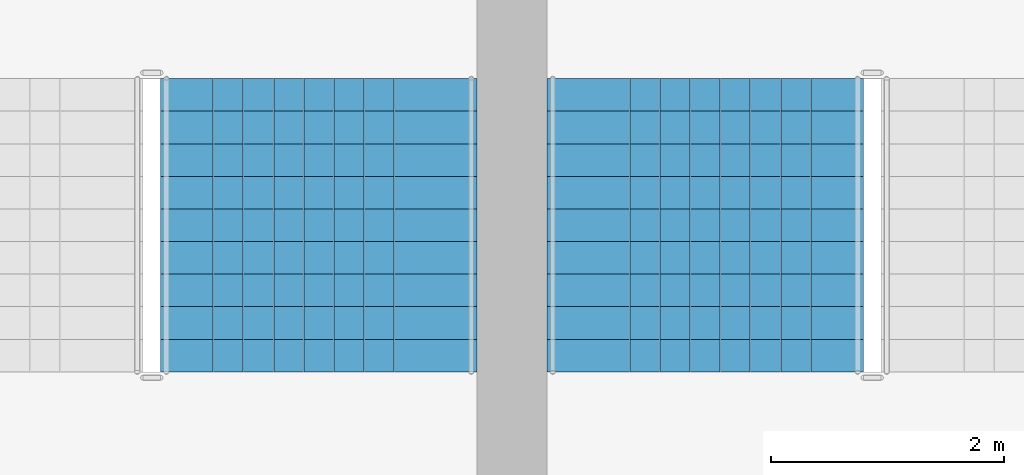
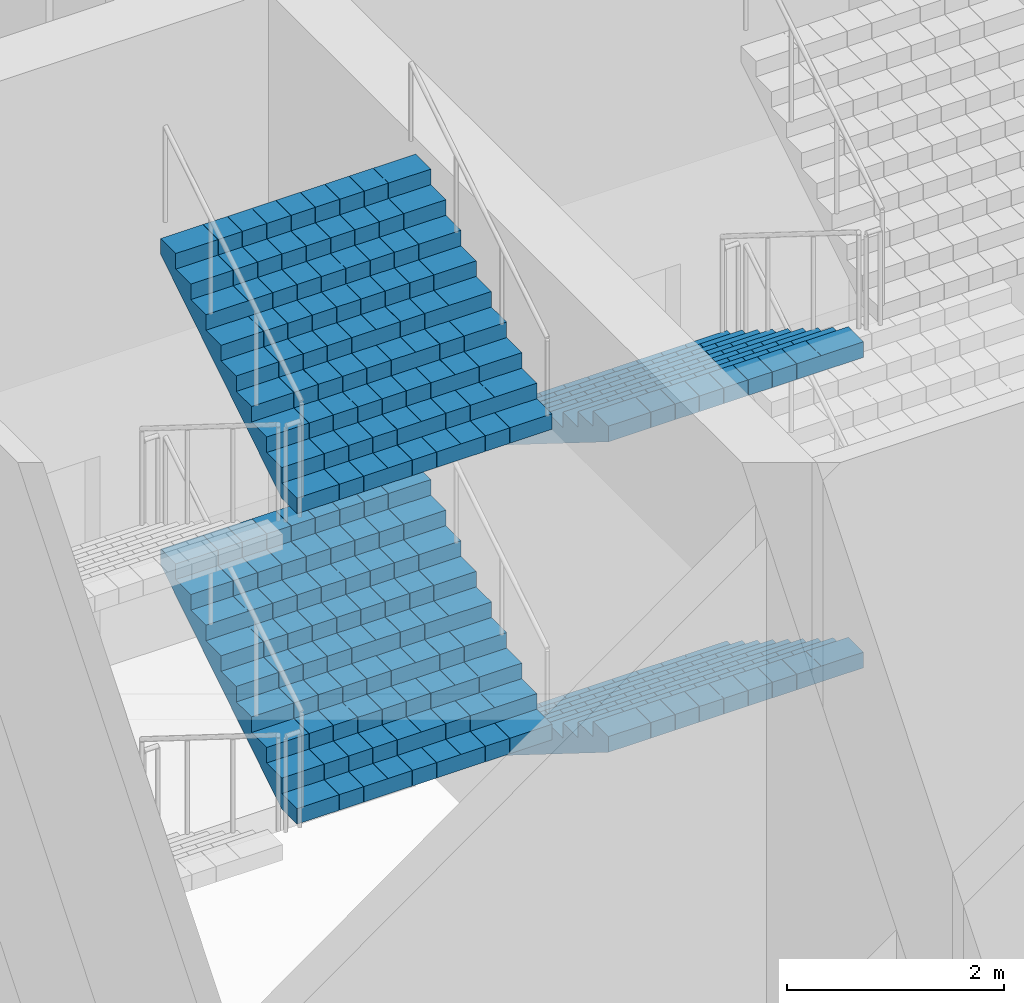
# One storey, part 46 of 62: 4 stair flights, 2 elements without a shape of their own.
"""IFC4 building model written with IfcOpenShell, lengths in metres."""

import ifcopenshell
import ifcopenshell.guid

model = None  # the IFC model being written
_history = None  # IfcOwnerHistory: only IFC2X3 demands one
_inside = {}  # id of a spatial element -> (the spatial element, [elements in it])
_under = {}  # id of a project, library or spatial element -> (it, [spatial elements below it])
_declared = {}  # id of a project -> (the project, [libraries it declares])
_typed = {}  # id of a type object -> (the type object, [elements of that type])
_made_of = {}  # id of a material, layer set ... -> (it, [elements and type objects made of it])


def new_model(schema):
    """Start an empty IFC model of exactly this schema.

    Asked for "IFC4X3", IfcOpenShell would pick the latest addendum, in which some entities
    have other attributes; the version numbers below select the first issue.
    IFC2X3 requires an IfcOwnerHistory on every rooted entity: one is made here for all.
    """
    global model, _history
    if schema == "IFC4X3":
        model = ifcopenshell.file(schema_version=(4, 3, 0, 0))
    else:
        model = ifcopenshell.file(schema=schema)
    _inside.clear()
    _under.clear()
    _declared.clear()
    _typed.clear()
    _made_of.clear()
    _history = None
    if model.schema == "IFC2X3":
        org = make("IfcOrganization", Name="unknown")
        user = make(
            "IfcPersonAndOrganization",
            ThePerson=make("IfcPerson", FamilyName="unknown"),
            TheOrganization=org,
        )
        app = make(
            "IfcApplication",
            ApplicationDeveloper=org,
            Version="unknown",
            ApplicationFullName="unknown",
            ApplicationIdentifier="unknown",
        )
        _history = make(
            "IfcOwnerHistory",
            OwningUser=user,
            OwningApplication=app,
            ChangeAction="ADDED",
            CreationDate=0,
        )
    return model


def make(cls, **values):
    """One entity of the class cls with the attributes given. An attribute that is None is left unset."""
    return model.create_entity(
        cls, **{name: value for name, value in values.items() if value is not None}
    )


def rooted(cls, **values):
    """An entity with a GlobalId (a new one), such as an element, a storey or a relation."""
    return make(cls, GlobalId=ifcopenshell.guid.new(), OwnerHistory=_history, **values)


def si_unit(unit_type, name, prefix=None):
    """IfcSIUnit, for example si_unit("LENGTHUNIT", "METRE", prefix="MILLI")."""
    return make("IfcSIUnit", UnitType=unit_type, Prefix=prefix, Name=name)


def assignment(units):
    """IfcUnitAssignment: the units of a project."""
    return None if units is None else make("IfcUnitAssignment", Units=units)


def point(xyz):
    """IfcCartesianPoint."""
    return None if xyz is None else make("IfcCartesianPoint", Coordinates=xyz)


def direction(xyz):
    """IfcDirection."""
    return None if xyz is None else make("IfcDirection", DirectionRatios=xyz)


def frame(location, z_axis=None, x_axis=None):
    """IfcAxis2Placement3D, a coordinate frame: its origin and axes. An axis left out is left unset."""
    return make(
        "IfcAxis2Placement3D",
        Location=point(location),
        Axis=direction(z_axis),
        RefDirection=direction(x_axis),
    )


def origin():
    """The frame at (0, 0, 0) with its axes left unset."""
    return frame((0.0, 0.0, 0.0))


def place(relative_to, where):
    """IfcLocalPlacement: puts the frame where relative to a parent placement (None: the world)."""
    return make(
        "IfcLocalPlacement", PlacementRelTo=relative_to, RelativePlacement=where
    )


def context(
    kind, dimensions, precision=None, world=None, true_north=None, identifier=None
):
    """IfcGeometricRepresentationContext, for example the 3D "Model" context."""
    return make(
        "IfcGeometricRepresentationContext",
        ContextIdentifier=identifier,
        ContextType=kind,
        CoordinateSpaceDimension=dimensions,
        Precision=precision,
        WorldCoordinateSystem=world,
        TrueNorth=true_north,
    )


def subcontext(parent, identifier, kind, view, scale=None):
    """IfcGeometricRepresentationSubContext, for example "Body" below "Model"."""
    return make(
        "IfcGeometricRepresentationSubContext",
        ContextIdentifier=identifier,
        ContextType=kind,
        ParentContext=parent,
        TargetScale=scale,
        TargetView=view,
    )


def project(units=None, contexts=None):
    """IfcProject with its units and contexts."""
    return rooted(
        "IfcProject",
        Name="project",
        RepresentationContexts=contexts,
        UnitsInContext=assignment(units),
    )


def spatial(cls, under=None, at=None, **own):
    """A site, building, storey or space (cls), placed at a placement, below another one or the project."""
    s = rooted(cls, ObjectPlacement=at, **own)
    if under is not None:
        _under.setdefault(under.id(), (under, []))[1].append(s)
    return s


def polyline(points):
    """IfcPolyline through the points."""
    return make("IfcPolyline", Points=[point(p) for p in points])


def outline(outer, holes=None, kind="AREA"):
    """IfcArbitraryClosedProfileDef: a profile drawn as a closed curve; with holes, ...WithVoids."""
    if holes is None:
        return make("IfcArbitraryClosedProfileDef", ProfileType=kind, OuterCurve=outer)
    return make(
        "IfcArbitraryProfileDefWithVoids",
        ProfileType=kind,
        OuterCurve=outer,
        InnerCurves=holes,
    )


def extrude(swept, where, along, depth):
    """IfcExtrudedAreaSolid: the profile swept, set in the frame where, extruded along a direction by depth."""
    return make(
        "IfcExtrudedAreaSolid",
        SweptArea=swept,
        Position=where,
        ExtrudedDirection=direction(along),
        Depth=depth,
    )


def shape(context_of_items, identifier, shape_type, items):
    """IfcShapeRepresentation: the items that make up one representation, for example the "Body"."""
    return make(
        "IfcShapeRepresentation",
        ContextOfItems=context_of_items,
        RepresentationIdentifier=identifier,
        RepresentationType=shape_type,
        Items=items,
    )


def material(Name=None, Category=None):
    """IfcMaterial."""
    return make("IfcMaterial", Name=Name, Category=Category)


def made_of(thing, what):
    """Note that an element or type object is made of a material, layer set ...; save() writes the relation."""
    if what is not None:
        _made_of.setdefault(what.id(), (what, []))[1].append(thing)
    return thing


def type_object(cls, material=None, **own):
    """A type object (cls), such as IfcWallType, which elements share."""
    return made_of(rooted(cls, **own), material)


def element(
    cls,
    number,
    at=None,
    inside=None,
    cuts=None,
    type_object=None,
    material=None,
    context=None,
    identifier="Body",
    shape_type=None,
    held_by="IfcProductDefinitionShape",
    body=None,
    shapes=None,
    **own,
):
    """One element of the class cls, such as IfcWall. Its Tag is "e" and its number.

    at: its placement. inside: the storey or other place that contains it. cuts: it is an
    opening in that element (IfcRelVoidsElement). A single representation is given by context,
    identifier, shape_type and body (its items); several are given by shapes. held_by: the class
    of the entity that holds the representations. save() writes the other relations.
    """
    e = rooted(cls, Tag="e%d" % number, ObjectPlacement=at, **own)
    if body is not None:
        shapes = [shape(context, identifier, shape_type, body)]
    if shapes is not None:
        e.Representation = make(held_by, Representations=shapes)
    if inside is not None:
        _inside.setdefault(inside.id(), (inside, []))[1].append(e)
    if cuts is not None:
        rooted(
            "IfcRelVoidsElement", RelatingBuildingElement=cuts, RelatedOpeningElement=e
        )
    if type_object is not None:
        _typed.setdefault(type_object.id(), (type_object, []))[1].append(e)
    return made_of(e, material)


def aggregate(whole, parts):
    """IfcRelAggregates: a whole, such as a stair, and the parts it consists of."""
    return rooted("IfcRelAggregates", RelatingObject=whole, RelatedObjects=parts)


def save(model, path):
    """Write the relations noted so far, then the file.

    IfcRelAggregates (storeys below a building ...), IfcRelContainedInSpatialStructure (elements
    in a storey), IfcRelDefinesByType, IfcRelAssociatesMaterial and IfcRelDeclares: one each for
    every whole, place, type object, material and project.
    """
    for whole, parts in _under.values():
        aggregate(whole, parts)
    for where, things in _inside.values():
        rooted(
            "IfcRelContainedInSpatialStructure",
            RelatedElements=things,
            RelatingStructure=where,
        )
    for kind, things in _typed.values():
        rooted("IfcRelDefinesByType", RelatedObjects=things, RelatingType=kind)
    for what, things in _made_of.values():
        rooted("IfcRelAssociatesMaterial", RelatedObjects=things, RelatingMaterial=what)
    for by, libraries in _declared.values():
        rooted("IfcRelDeclares", RelatingContext=by, RelatedDefinitions=libraries)
    model.write(path)


model = new_model("IFC4")

# Units and contexts
model_context = context("Model", 3, precision=1e-05, world=origin(), true_north=direction((0.0, 1.0)))
body_context = subcontext(model_context, "Body", "Model", "MODEL_VIEW")
ifc_project = project(units=[si_unit("LENGTHUNIT", "METRE"), si_unit("AREAUNIT", "SQUARE_METRE"), si_unit("VOLUMEUNIT", "CUBIC_METRE"), si_unit("PLANEANGLEUNIT", "RADIAN"), si_unit("MASSUNIT", "GRAM", prefix="KILO")], contexts=[model_context])

# Site, building, storey
site_placement = place(None, origin())
site = spatial("IfcSite", under=ifc_project, at=site_placement, CompositionType="ELEMENT")
building_placement = place(site_placement, origin())
building = spatial("IfcBuilding", under=site, at=building_placement, Name="Corbelhall Arena Tower", CompositionType="ELEMENT")
storey_placement = place(building_placement, frame((0.0, 0.0, 12.0)))
storey = spatial("IfcBuildingStorey", under=building, at=storey_placement, Name="L01", CompositionType="ELEMENT", Elevation=12.0)

# Stair, stair flights
ifc_material = material(Name="Reinforced concrete C40/50", Category="concrete")
stair_type = type_object("IfcStairType", Name="AR-EXIT-STAIR", PredefinedType="HALF_TURN_STAIR", material=ifc_material)
stair_1_placement = place(storey_placement, origin())
stair_1 = element("IfcStair", 1, at=stair_1_placement, inside=storey, type_object=stair_type, Name="L01 exit stair AS5", PredefinedType="HALF_TURN_STAIR")
stair_flight_type = type_object("IfcStairFlightType", Name="AR-EXIT-FLIGHT", PredefinedType="STRAIGHT", material=ifc_material)
stair_flight_1_placement = place(storey_placement, frame((38.840087890625, -29.840087890625, 1.75), z_axis=(0.0, 0.0, 1.0), x_axis=(0.0, 1.0, 0.0)))
stair_flight_1 = element("IfcStairFlight", 2, at=stair_flight_1_placement, type_object=stair_flight_type, Name="AS5 flight 2", NumberOfRisers=10, NumberOfTreads=9, PredefinedType="STRAIGHT", RiserHeight=0.175, TreadLength=0.28, context=body_context, shape_type="SweptSolid", body=[
    extrude(outline(polyline([(0.0, 0.0), (0.0, 0.175048828125), (0.280029296875, 0.175048828125), (0.280029296875, 0.35009765625), (0.56005859375, 0.35009765625), (0.56005859375, 0.52490234375), (0.840087890625, 0.52490234375), (0.840087890625, 0.699951171875), (1.1201171875, 0.699951171875), (1.1201171875, 0.875), (1.39990234375, 0.875), (1.39990234375, 1.050048828125), (1.679931640625, 1.050048828125), (1.679931640625, 1.22509765625), (1.9599609375, 1.22509765625), (1.9599609375, 1.39990234375), (2.239990234375, 1.39990234375), (2.239990234375, 1.574951171875), (2.52001953125, 1.574951171875), (2.52001953125, 1.75), (2.52001953125, 1.398193359375), (0.28271484375, 0.0), (0.0, 0.0)])), frame((0.0, 1.35986328125, 0.0), z_axis=(0.0, -1.0, 0.0), x_axis=(1.0, 0.0, 0.0)), (0.0, 0.0, 1.0), 0.449951171875),
    extrude(outline(polyline([(0.0, 0.0), (0.0, 0.175048828125), (0.280029296875, 0.175048828125), (0.280029296875, 0.35009765625), (0.56005859375, 0.35009765625), (0.56005859375, 0.52490234375), (0.840087890625, 0.52490234375), (0.840087890625, 0.699951171875), (1.1201171875, 0.699951171875), (1.1201171875, 0.875), (1.39990234375, 0.875), (1.39990234375, 1.050048828125), (1.679931640625, 1.050048828125), (1.679931640625, 1.22509765625), (1.9599609375, 1.22509765625), (1.9599609375, 1.39990234375), (2.239990234375, 1.39990234375), (2.239990234375, 1.574951171875), (2.52001953125, 1.574951171875), (2.52001953125, 1.75), (2.52001953125, 1.398193359375), (0.28271484375, 0.0), (0.0, 0.0)])), frame((0.0, 0.906005859375, 0.0), z_axis=(0.0, -1.0, 0.0), x_axis=(1.0, 0.0, 0.0)), (0.0, 0.0, 1.0), 0.25537109375),
    extrude(outline(polyline([(0.0, 0.0), (0.0, 0.175048828125), (0.280029296875, 0.175048828125), (0.280029296875, 0.35009765625), (0.56005859375, 0.35009765625), (0.56005859375, 0.52490234375), (0.840087890625, 0.52490234375), (0.840087890625, 0.699951171875), (1.1201171875, 0.699951171875), (1.1201171875, 0.875), (1.39990234375, 0.875), (1.39990234375, 1.050048828125), (1.679931640625, 1.050048828125), (1.679931640625, 1.22509765625), (1.9599609375, 1.22509765625), (1.9599609375, 1.39990234375), (2.239990234375, 1.39990234375), (2.239990234375, 1.574951171875), (2.52001953125, 1.574951171875), (2.52001953125, 1.75), (2.52001953125, 1.398193359375), (0.28271484375, 0.0), (0.0, 0.0)])), frame((0.0, 0.646484375, 0.0), z_axis=(0.0, -1.0, 0.0), x_axis=(1.0, 0.0, 0.0)), (0.0, 0.0, 1.0), 0.25537109375),
    extrude(outline(polyline([(0.0, 0.0), (0.0, 0.175048828125), (0.280029296875, 0.175048828125), (0.280029296875, 0.35009765625), (0.56005859375, 0.35009765625), (0.56005859375, 0.52490234375), (0.840087890625, 0.52490234375), (0.840087890625, 0.699951171875), (1.1201171875, 0.699951171875), (1.1201171875, 0.875), (1.39990234375, 0.875), (1.39990234375, 1.050048828125), (1.679931640625, 1.050048828125), (1.679931640625, 1.22509765625), (1.9599609375, 1.22509765625), (1.9599609375, 1.39990234375), (2.239990234375, 1.39990234375), (2.239990234375, 1.574951171875), (2.52001953125, 1.574951171875), (2.52001953125, 1.75), (2.52001953125, 1.398193359375), (0.28271484375, 0.0), (0.0, 0.0)])), frame((0.0, 0.38720703125, 0.0), z_axis=(0.0, -1.0, 0.0), x_axis=(1.0, 0.0, 0.0)), (0.0, 0.0, 1.0), 0.25537109375),
    extrude(outline(polyline([(0.0, 0.0), (0.0, 0.175048828125), (0.280029296875, 0.175048828125), (0.280029296875, 0.35009765625), (0.56005859375, 0.35009765625), (0.56005859375, 0.52490234375), (0.840087890625, 0.52490234375), (0.840087890625, 0.699951171875), (1.1201171875, 0.699951171875), (1.1201171875, 0.875), (1.39990234375, 0.875), (1.39990234375, 1.050048828125), (1.679931640625, 1.050048828125), (1.679931640625, 1.22509765625), (1.9599609375, 1.22509765625), (1.9599609375, 1.39990234375), (2.239990234375, 1.39990234375), (2.239990234375, 1.574951171875), (2.52001953125, 1.574951171875), (2.52001953125, 1.75), (2.52001953125, 1.398193359375), (0.28271484375, 0.0), (0.0, 0.0)])), frame((0.0, 0.127685546875, 0.0), z_axis=(0.0, -1.0, 0.0), x_axis=(1.0, 0.0, 0.0)), (0.0, 0.0, 1.0), 0.25537109375),
    extrude(outline(polyline([(0.0, 0.0), (0.0, 0.175048828125), (0.280029296875, 0.175048828125), (0.280029296875, 0.35009765625), (0.56005859375, 0.35009765625), (0.56005859375, 0.52490234375), (0.840087890625, 0.52490234375), (0.840087890625, 0.699951171875), (1.1201171875, 0.699951171875), (1.1201171875, 0.875), (1.39990234375, 0.875), (1.39990234375, 1.050048828125), (1.679931640625, 1.050048828125), (1.679931640625, 1.22509765625), (1.9599609375, 1.22509765625), (1.9599609375, 1.39990234375), (2.239990234375, 1.39990234375), (2.239990234375, 1.574951171875), (2.52001953125, 1.574951171875), (2.52001953125, 1.75), (2.52001953125, 1.398193359375), (0.28271484375, 0.0), (0.0, 0.0)])), frame((0.0, -0.131591796875, 0.0), z_axis=(0.0, -1.0, 0.0), x_axis=(1.0, 0.0, 0.0)), (0.0, 0.0, 1.0), 0.25537109375),
    extrude(outline(polyline([(0.0, 0.0), (0.0, 0.175048828125), (0.280029296875, 0.175048828125), (0.280029296875, 0.35009765625), (0.56005859375, 0.35009765625), (0.56005859375, 0.52490234375), (0.840087890625, 0.52490234375), (0.840087890625, 0.699951171875), (1.1201171875, 0.699951171875), (1.1201171875, 0.875), (1.39990234375, 0.875), (1.39990234375, 1.050048828125), (1.679931640625, 1.050048828125), (1.679931640625, 1.22509765625), (1.9599609375, 1.22509765625), (1.9599609375, 1.39990234375), (2.239990234375, 1.39990234375), (2.239990234375, 1.574951171875), (2.52001953125, 1.574951171875), (2.52001953125, 1.75), (2.52001953125, 1.398193359375), (0.28271484375, 0.0), (0.0, 0.0)])), frame((0.0, -0.39111328125, 0.0), z_axis=(0.0, -1.0, 0.0), x_axis=(1.0, 0.0, 0.0)), (0.0, 0.0, 1.0), 0.25537109375),
    extrude(outline(polyline([(0.0, 0.0), (0.0, 0.175048828125), (0.280029296875, 0.175048828125), (0.280029296875, 0.35009765625), (0.56005859375, 0.35009765625), (0.56005859375, 0.52490234375), (0.840087890625, 0.52490234375), (0.840087890625, 0.699951171875), (1.1201171875, 0.699951171875), (1.1201171875, 0.875), (1.39990234375, 0.875), (1.39990234375, 1.050048828125), (1.679931640625, 1.050048828125), (1.679931640625, 1.22509765625), (1.9599609375, 1.22509765625), (1.9599609375, 1.39990234375), (2.239990234375, 1.39990234375), (2.239990234375, 1.574951171875), (2.52001953125, 1.574951171875), (2.52001953125, 1.75), (2.52001953125, 1.398193359375), (0.28271484375, 0.0), (0.0, 0.0)])), frame((0.0, -0.650634765625, 0.0), z_axis=(0.0, -1.0, 0.0), x_axis=(1.0, 0.0, 0.0)), (0.0, 0.0, 1.0), 0.25537109375),
    extrude(outline(polyline([(0.0, 0.0), (0.0, 0.175048828125), (0.280029296875, 0.175048828125), (0.280029296875, 0.35009765625), (0.56005859375, 0.35009765625), (0.56005859375, 0.52490234375), (0.840087890625, 0.52490234375), (0.840087890625, 0.699951171875), (1.1201171875, 0.699951171875), (1.1201171875, 0.875), (1.39990234375, 0.875), (1.39990234375, 1.050048828125), (1.679931640625, 1.050048828125), (1.679931640625, 1.22509765625), (1.9599609375, 1.22509765625), (1.9599609375, 1.39990234375), (2.239990234375, 1.39990234375), (2.239990234375, 1.574951171875), (2.52001953125, 1.574951171875), (2.52001953125, 1.75), (2.52001953125, 1.398193359375), (0.28271484375, 0.0), (0.0, 0.0)])), frame((0.0, -0.909912109375, 0.0), z_axis=(0.0, -1.0, 0.0), x_axis=(1.0, 0.0, 0.0)), (0.0, 0.0, 1.0), 0.449951171875),
])
stair_flight_2_placement = place(storey_placement, frame((38.840087890625, -29.840087890625, 5.25), z_axis=(0.0, 0.0, 1.0), x_axis=(0.0, 1.0, 0.0)))
stair_flight_2 = element("IfcStairFlight", 3, at=stair_flight_2_placement, type_object=stair_flight_type, Name="AS5 flight 4", NumberOfRisers=10, NumberOfTreads=9, PredefinedType="STRAIGHT", RiserHeight=0.175, TreadLength=0.28, context=body_context, shape_type="SweptSolid", body=[
    extrude(outline(polyline([(0.0, 0.0), (0.0, 0.175048828125), (0.280029296875, 0.175048828125), (0.280029296875, 0.35009765625), (0.56005859375, 0.35009765625), (0.56005859375, 0.52490234375), (0.840087890625, 0.52490234375), (0.840087890625, 0.699951171875), (1.1201171875, 0.699951171875), (1.1201171875, 0.875), (1.39990234375, 0.875), (1.39990234375, 1.050048828125), (1.679931640625, 1.050048828125), (1.679931640625, 1.22509765625), (1.9599609375, 1.22509765625), (1.9599609375, 1.39990234375), (2.239990234375, 1.39990234375), (2.239990234375, 1.574951171875), (2.52001953125, 1.574951171875), (2.52001953125, 1.75), (2.52001953125, 1.398193359375), (0.28271484375, 0.0), (0.0, 0.0)])), frame((0.0, 1.35986328125, 0.0), z_axis=(0.0, -1.0, 0.0), x_axis=(1.0, 0.0, 0.0)), (0.0, 0.0, 1.0), 0.449951171875),
    extrude(outline(polyline([(0.0, 0.0), (0.0, 0.175048828125), (0.280029296875, 0.175048828125), (0.280029296875, 0.35009765625), (0.56005859375, 0.35009765625), (0.56005859375, 0.52490234375), (0.840087890625, 0.52490234375), (0.840087890625, 0.699951171875), (1.1201171875, 0.699951171875), (1.1201171875, 0.875), (1.39990234375, 0.875), (1.39990234375, 1.050048828125), (1.679931640625, 1.050048828125), (1.679931640625, 1.22509765625), (1.9599609375, 1.22509765625), (1.9599609375, 1.39990234375), (2.239990234375, 1.39990234375), (2.239990234375, 1.574951171875), (2.52001953125, 1.574951171875), (2.52001953125, 1.75), (2.52001953125, 1.398193359375), (0.28271484375, 0.0), (0.0, 0.0)])), frame((0.0, 0.906005859375, 0.0), z_axis=(0.0, -1.0, 0.0), x_axis=(1.0, 0.0, 0.0)), (0.0, 0.0, 1.0), 0.25537109375),
    extrude(outline(polyline([(0.0, 0.0), (0.0, 0.175048828125), (0.280029296875, 0.175048828125), (0.280029296875, 0.35009765625), (0.56005859375, 0.35009765625), (0.56005859375, 0.52490234375), (0.840087890625, 0.52490234375), (0.840087890625, 0.699951171875), (1.1201171875, 0.699951171875), (1.1201171875, 0.875), (1.39990234375, 0.875), (1.39990234375, 1.050048828125), (1.679931640625, 1.050048828125), (1.679931640625, 1.22509765625), (1.9599609375, 1.22509765625), (1.9599609375, 1.39990234375), (2.239990234375, 1.39990234375), (2.239990234375, 1.574951171875), (2.52001953125, 1.574951171875), (2.52001953125, 1.75), (2.52001953125, 1.398193359375), (0.28271484375, 0.0), (0.0, 0.0)])), frame((0.0, 0.646484375, 0.0), z_axis=(0.0, -1.0, 0.0), x_axis=(1.0, 0.0, 0.0)), (0.0, 0.0, 1.0), 0.25537109375),
    extrude(outline(polyline([(0.0, 0.0), (0.0, 0.175048828125), (0.280029296875, 0.175048828125), (0.280029296875, 0.35009765625), (0.56005859375, 0.35009765625), (0.56005859375, 0.52490234375), (0.840087890625, 0.52490234375), (0.840087890625, 0.699951171875), (1.1201171875, 0.699951171875), (1.1201171875, 0.875), (1.39990234375, 0.875), (1.39990234375, 1.050048828125), (1.679931640625, 1.050048828125), (1.679931640625, 1.22509765625), (1.9599609375, 1.22509765625), (1.9599609375, 1.39990234375), (2.239990234375, 1.39990234375), (2.239990234375, 1.574951171875), (2.52001953125, 1.574951171875), (2.52001953125, 1.75), (2.52001953125, 1.398193359375), (0.28271484375, 0.0), (0.0, 0.0)])), frame((0.0, 0.38720703125, 0.0), z_axis=(0.0, -1.0, 0.0), x_axis=(1.0, 0.0, 0.0)), (0.0, 0.0, 1.0), 0.25537109375),
    extrude(outline(polyline([(0.0, 0.0), (0.0, 0.175048828125), (0.280029296875, 0.175048828125), (0.280029296875, 0.35009765625), (0.56005859375, 0.35009765625), (0.56005859375, 0.52490234375), (0.840087890625, 0.52490234375), (0.840087890625, 0.699951171875), (1.1201171875, 0.699951171875), (1.1201171875, 0.875), (1.39990234375, 0.875), (1.39990234375, 1.050048828125), (1.679931640625, 1.050048828125), (1.679931640625, 1.22509765625), (1.9599609375, 1.22509765625), (1.9599609375, 1.39990234375), (2.239990234375, 1.39990234375), (2.239990234375, 1.574951171875), (2.52001953125, 1.574951171875), (2.52001953125, 1.75), (2.52001953125, 1.398193359375), (0.28271484375, 0.0), (0.0, 0.0)])), frame((0.0, 0.127685546875, 0.0), z_axis=(0.0, -1.0, 0.0), x_axis=(1.0, 0.0, 0.0)), (0.0, 0.0, 1.0), 0.25537109375),
    extrude(outline(polyline([(0.0, 0.0), (0.0, 0.175048828125), (0.280029296875, 0.175048828125), (0.280029296875, 0.35009765625), (0.56005859375, 0.35009765625), (0.56005859375, 0.52490234375), (0.840087890625, 0.52490234375), (0.840087890625, 0.699951171875), (1.1201171875, 0.699951171875), (1.1201171875, 0.875), (1.39990234375, 0.875), (1.39990234375, 1.050048828125), (1.679931640625, 1.050048828125), (1.679931640625, 1.22509765625), (1.9599609375, 1.22509765625), (1.9599609375, 1.39990234375), (2.239990234375, 1.39990234375), (2.239990234375, 1.574951171875), (2.52001953125, 1.574951171875), (2.52001953125, 1.75), (2.52001953125, 1.398193359375), (0.28271484375, 0.0), (0.0, 0.0)])), frame((0.0, -0.131591796875, 0.0), z_axis=(0.0, -1.0, 0.0), x_axis=(1.0, 0.0, 0.0)), (0.0, 0.0, 1.0), 0.25537109375),
    extrude(outline(polyline([(0.0, 0.0), (0.0, 0.175048828125), (0.280029296875, 0.175048828125), (0.280029296875, 0.35009765625), (0.56005859375, 0.35009765625), (0.56005859375, 0.52490234375), (0.840087890625, 0.52490234375), (0.840087890625, 0.699951171875), (1.1201171875, 0.699951171875), (1.1201171875, 0.875), (1.39990234375, 0.875), (1.39990234375, 1.050048828125), (1.679931640625, 1.050048828125), (1.679931640625, 1.22509765625), (1.9599609375, 1.22509765625), (1.9599609375, 1.39990234375), (2.239990234375, 1.39990234375), (2.239990234375, 1.574951171875), (2.52001953125, 1.574951171875), (2.52001953125, 1.75), (2.52001953125, 1.398193359375), (0.28271484375, 0.0), (0.0, 0.0)])), frame((0.0, -0.39111328125, 0.0), z_axis=(0.0, -1.0, 0.0), x_axis=(1.0, 0.0, 0.0)), (0.0, 0.0, 1.0), 0.25537109375),
    extrude(outline(polyline([(0.0, 0.0), (0.0, 0.175048828125), (0.280029296875, 0.175048828125), (0.280029296875, 0.35009765625), (0.56005859375, 0.35009765625), (0.56005859375, 0.52490234375), (0.840087890625, 0.52490234375), (0.840087890625, 0.699951171875), (1.1201171875, 0.699951171875), (1.1201171875, 0.875), (1.39990234375, 0.875), (1.39990234375, 1.050048828125), (1.679931640625, 1.050048828125), (1.679931640625, 1.22509765625), (1.9599609375, 1.22509765625), (1.9599609375, 1.39990234375), (2.239990234375, 1.39990234375), (2.239990234375, 1.574951171875), (2.52001953125, 1.574951171875), (2.52001953125, 1.75), (2.52001953125, 1.398193359375), (0.28271484375, 0.0), (0.0, 0.0)])), frame((0.0, -0.650634765625, 0.0), z_axis=(0.0, -1.0, 0.0), x_axis=(1.0, 0.0, 0.0)), (0.0, 0.0, 1.0), 0.25537109375),
    extrude(outline(polyline([(0.0, 0.0), (0.0, 0.175048828125), (0.280029296875, 0.175048828125), (0.280029296875, 0.35009765625), (0.56005859375, 0.35009765625), (0.56005859375, 0.52490234375), (0.840087890625, 0.52490234375), (0.840087890625, 0.699951171875), (1.1201171875, 0.699951171875), (1.1201171875, 0.875), (1.39990234375, 0.875), (1.39990234375, 1.050048828125), (1.679931640625, 1.050048828125), (1.679931640625, 1.22509765625), (1.9599609375, 1.22509765625), (1.9599609375, 1.39990234375), (2.239990234375, 1.39990234375), (2.239990234375, 1.574951171875), (2.52001953125, 1.574951171875), (2.52001953125, 1.75), (2.52001953125, 1.398193359375), (0.28271484375, 0.0), (0.0, 0.0)])), frame((0.0, -0.909912109375, 0.0), z_axis=(0.0, -1.0, 0.0), x_axis=(1.0, 0.0, 0.0)), (0.0, 0.0, 1.0), 0.449951171875),
])
aggregate(stair_1, [stair_flight_1, stair_flight_2])

stair_2_placement = place(storey_placement, origin())
stair_2 = element("IfcStair", 4, at=stair_2_placement, inside=storey, type_object=stair_type, Name="L01 exit stair AS6", PredefinedType="HALF_TURN_STAIR")
stair_flight_3_placement = place(storey_placement, frame((42.159912109375, -27.320068359375, 0.0), z_axis=(0.0, 0.0, 1.0), x_axis=(0.0, -1.0, 0.0)))
stair_flight_3 = element("IfcStairFlight", 5, at=stair_flight_3_placement, type_object=stair_flight_type, Name="AS6 flight 1", NumberOfRisers=10, NumberOfTreads=9, PredefinedType="STRAIGHT", RiserHeight=0.175, TreadLength=0.28, context=body_context, shape_type="SweptSolid", body=[
    extrude(outline(polyline([(0.0, 0.0), (0.0, 0.175048828125), (0.280029296875, 0.175048828125), (0.280029296875, 0.35009765625), (0.56005859375, 0.35009765625), (0.56005859375, 0.52490234375), (0.840087890625, 0.52490234375), (0.840087890625, 0.699951171875), (1.1201171875, 0.699951171875), (1.1201171875, 0.875), (1.39990234375, 0.875), (1.39990234375, 1.050048828125), (1.679931640625, 1.050048828125), (1.679931640625, 1.22509765625), (1.9599609375, 1.22509765625), (1.9599609375, 1.39990234375), (2.239990234375, 1.39990234375), (2.239990234375, 1.574951171875), (2.52001953125, 1.574951171875), (2.52001953125, 1.75), (2.52001953125, 1.398193359375), (0.28271484375, 0.0), (0.0, 0.0)])), frame((0.0, 1.35986328125, 0.0), z_axis=(0.0, -1.0, 0.0), x_axis=(1.0, 0.0, 0.0)), (0.0, 0.0, 1.0), 0.449951171875),
    extrude(outline(polyline([(0.0, 0.0), (0.0, 0.175048828125), (0.280029296875, 0.175048828125), (0.280029296875, 0.35009765625), (0.56005859375, 0.35009765625), (0.56005859375, 0.52490234375), (0.840087890625, 0.52490234375), (0.840087890625, 0.699951171875), (1.1201171875, 0.699951171875), (1.1201171875, 0.875), (1.39990234375, 0.875), (1.39990234375, 1.050048828125), (1.679931640625, 1.050048828125), (1.679931640625, 1.22509765625), (1.9599609375, 1.22509765625), (1.9599609375, 1.39990234375), (2.239990234375, 1.39990234375), (2.239990234375, 1.574951171875), (2.52001953125, 1.574951171875), (2.52001953125, 1.75), (2.52001953125, 1.398193359375), (0.28271484375, 0.0), (0.0, 0.0)])), frame((0.0, 0.906005859375, 0.0), z_axis=(0.0, -1.0, 0.0), x_axis=(1.0, 0.0, 0.0)), (0.0, 0.0, 1.0), 0.25537109375),
    extrude(outline(polyline([(0.0, 0.0), (0.0, 0.175048828125), (0.280029296875, 0.175048828125), (0.280029296875, 0.35009765625), (0.56005859375, 0.35009765625), (0.56005859375, 0.52490234375), (0.840087890625, 0.52490234375), (0.840087890625, 0.699951171875), (1.1201171875, 0.699951171875), (1.1201171875, 0.875), (1.39990234375, 0.875), (1.39990234375, 1.050048828125), (1.679931640625, 1.050048828125), (1.679931640625, 1.22509765625), (1.9599609375, 1.22509765625), (1.9599609375, 1.39990234375), (2.239990234375, 1.39990234375), (2.239990234375, 1.574951171875), (2.52001953125, 1.574951171875), (2.52001953125, 1.75), (2.52001953125, 1.398193359375), (0.28271484375, 0.0), (0.0, 0.0)])), frame((0.0, 0.646484375, 0.0), z_axis=(0.0, -1.0, 0.0), x_axis=(1.0, 0.0, 0.0)), (0.0, 0.0, 1.0), 0.25537109375),
    extrude(outline(polyline([(0.0, 0.0), (0.0, 0.175048828125), (0.280029296875, 0.175048828125), (0.280029296875, 0.35009765625), (0.56005859375, 0.35009765625), (0.56005859375, 0.52490234375), (0.840087890625, 0.52490234375), (0.840087890625, 0.699951171875), (1.1201171875, 0.699951171875), (1.1201171875, 0.875), (1.39990234375, 0.875), (1.39990234375, 1.050048828125), (1.679931640625, 1.050048828125), (1.679931640625, 1.22509765625), (1.9599609375, 1.22509765625), (1.9599609375, 1.39990234375), (2.239990234375, 1.39990234375), (2.239990234375, 1.574951171875), (2.52001953125, 1.574951171875), (2.52001953125, 1.75), (2.52001953125, 1.398193359375), (0.28271484375, 0.0), (0.0, 0.0)])), frame((0.0, 0.38720703125, 0.0), z_axis=(0.0, -1.0, 0.0), x_axis=(1.0, 0.0, 0.0)), (0.0, 0.0, 1.0), 0.25537109375),
    extrude(outline(polyline([(0.0, 0.0), (0.0, 0.175048828125), (0.280029296875, 0.175048828125), (0.280029296875, 0.35009765625), (0.56005859375, 0.35009765625), (0.56005859375, 0.52490234375), (0.840087890625, 0.52490234375), (0.840087890625, 0.699951171875), (1.1201171875, 0.699951171875), (1.1201171875, 0.875), (1.39990234375, 0.875), (1.39990234375, 1.050048828125), (1.679931640625, 1.050048828125), (1.679931640625, 1.22509765625), (1.9599609375, 1.22509765625), (1.9599609375, 1.39990234375), (2.239990234375, 1.39990234375), (2.239990234375, 1.574951171875), (2.52001953125, 1.574951171875), (2.52001953125, 1.75), (2.52001953125, 1.398193359375), (0.28271484375, 0.0), (0.0, 0.0)])), frame((0.0, 0.127685546875, 0.0), z_axis=(0.0, -1.0, 0.0), x_axis=(1.0, 0.0, 0.0)), (0.0, 0.0, 1.0), 0.25537109375),
    extrude(outline(polyline([(0.0, 0.0), (0.0, 0.175048828125), (0.280029296875, 0.175048828125), (0.280029296875, 0.35009765625), (0.56005859375, 0.35009765625), (0.56005859375, 0.52490234375), (0.840087890625, 0.52490234375), (0.840087890625, 0.699951171875), (1.1201171875, 0.699951171875), (1.1201171875, 0.875), (1.39990234375, 0.875), (1.39990234375, 1.050048828125), (1.679931640625, 1.050048828125), (1.679931640625, 1.22509765625), (1.9599609375, 1.22509765625), (1.9599609375, 1.39990234375), (2.239990234375, 1.39990234375), (2.239990234375, 1.574951171875), (2.52001953125, 1.574951171875), (2.52001953125, 1.75), (2.52001953125, 1.398193359375), (0.28271484375, 0.0), (0.0, 0.0)])), frame((0.0, -0.131591796875, 0.0), z_axis=(0.0, -1.0, 0.0), x_axis=(1.0, 0.0, 0.0)), (0.0, 0.0, 1.0), 0.25537109375),
    extrude(outline(polyline([(0.0, 0.0), (0.0, 0.175048828125), (0.280029296875, 0.175048828125), (0.280029296875, 0.35009765625), (0.56005859375, 0.35009765625), (0.56005859375, 0.52490234375), (0.840087890625, 0.52490234375), (0.840087890625, 0.699951171875), (1.1201171875, 0.699951171875), (1.1201171875, 0.875), (1.39990234375, 0.875), (1.39990234375, 1.050048828125), (1.679931640625, 1.050048828125), (1.679931640625, 1.22509765625), (1.9599609375, 1.22509765625), (1.9599609375, 1.39990234375), (2.239990234375, 1.39990234375), (2.239990234375, 1.574951171875), (2.52001953125, 1.574951171875), (2.52001953125, 1.75), (2.52001953125, 1.398193359375), (0.28271484375, 0.0), (0.0, 0.0)])), frame((0.0, -0.39111328125, 0.0), z_axis=(0.0, -1.0, 0.0), x_axis=(1.0, 0.0, 0.0)), (0.0, 0.0, 1.0), 0.25537109375),
    extrude(outline(polyline([(0.0, 0.0), (0.0, 0.175048828125), (0.280029296875, 0.175048828125), (0.280029296875, 0.35009765625), (0.56005859375, 0.35009765625), (0.56005859375, 0.52490234375), (0.840087890625, 0.52490234375), (0.840087890625, 0.699951171875), (1.1201171875, 0.699951171875), (1.1201171875, 0.875), (1.39990234375, 0.875), (1.39990234375, 1.050048828125), (1.679931640625, 1.050048828125), (1.679931640625, 1.22509765625), (1.9599609375, 1.22509765625), (1.9599609375, 1.39990234375), (2.239990234375, 1.39990234375), (2.239990234375, 1.574951171875), (2.52001953125, 1.574951171875), (2.52001953125, 1.75), (2.52001953125, 1.398193359375), (0.28271484375, 0.0), (0.0, 0.0)])), frame((0.0, -0.650634765625, 0.0), z_axis=(0.0, -1.0, 0.0), x_axis=(1.0, 0.0, 0.0)), (0.0, 0.0, 1.0), 0.25537109375),
    extrude(outline(polyline([(0.0, 0.0), (0.0, 0.175048828125), (0.280029296875, 0.175048828125), (0.280029296875, 0.35009765625), (0.56005859375, 0.35009765625), (0.56005859375, 0.52490234375), (0.840087890625, 0.52490234375), (0.840087890625, 0.699951171875), (1.1201171875, 0.699951171875), (1.1201171875, 0.875), (1.39990234375, 0.875), (1.39990234375, 1.050048828125), (1.679931640625, 1.050048828125), (1.679931640625, 1.22509765625), (1.9599609375, 1.22509765625), (1.9599609375, 1.39990234375), (2.239990234375, 1.39990234375), (2.239990234375, 1.574951171875), (2.52001953125, 1.574951171875), (2.52001953125, 1.75), (2.52001953125, 1.398193359375), (0.28271484375, 0.0), (0.0, 0.0)])), frame((0.0, -0.909912109375, 0.0), z_axis=(0.0, -1.0, 0.0), x_axis=(1.0, 0.0, 0.0)), (0.0, 0.0, 1.0), 0.449951171875),
])
stair_flight_4_placement = place(storey_placement, frame((42.159912109375, -27.320068359375, 3.5), z_axis=(0.0, 0.0, 1.0), x_axis=(0.0, -1.0, 0.0)))
stair_flight_4 = element("IfcStairFlight", 6, at=stair_flight_4_placement, type_object=stair_flight_type, Name="AS6 flight 3", NumberOfRisers=10, NumberOfTreads=9, PredefinedType="STRAIGHT", RiserHeight=0.175, TreadLength=0.28, context=body_context, shape_type="SweptSolid", body=[
    extrude(outline(polyline([(0.0, 0.0), (0.0, 0.175048828125), (0.280029296875, 0.175048828125), (0.280029296875, 0.35009765625), (0.56005859375, 0.35009765625), (0.56005859375, 0.52490234375), (0.840087890625, 0.52490234375), (0.840087890625, 0.699951171875), (1.1201171875, 0.699951171875), (1.1201171875, 0.875), (1.39990234375, 0.875), (1.39990234375, 1.050048828125), (1.679931640625, 1.050048828125), (1.679931640625, 1.22509765625), (1.9599609375, 1.22509765625), (1.9599609375, 1.39990234375), (2.239990234375, 1.39990234375), (2.239990234375, 1.574951171875), (2.52001953125, 1.574951171875), (2.52001953125, 1.75), (2.52001953125, 1.398193359375), (0.28271484375, 0.0), (0.0, 0.0)])), frame((0.0, 1.35986328125, 0.0), z_axis=(0.0, -1.0, 0.0), x_axis=(1.0, 0.0, 0.0)), (0.0, 0.0, 1.0), 0.449951171875),
    extrude(outline(polyline([(0.0, 0.0), (0.0, 0.175048828125), (0.280029296875, 0.175048828125), (0.280029296875, 0.35009765625), (0.56005859375, 0.35009765625), (0.56005859375, 0.52490234375), (0.840087890625, 0.52490234375), (0.840087890625, 0.699951171875), (1.1201171875, 0.699951171875), (1.1201171875, 0.875), (1.39990234375, 0.875), (1.39990234375, 1.050048828125), (1.679931640625, 1.050048828125), (1.679931640625, 1.22509765625), (1.9599609375, 1.22509765625), (1.9599609375, 1.39990234375), (2.239990234375, 1.39990234375), (2.239990234375, 1.574951171875), (2.52001953125, 1.574951171875), (2.52001953125, 1.75), (2.52001953125, 1.398193359375), (0.28271484375, 0.0), (0.0, 0.0)])), frame((0.0, 0.906005859375, 0.0), z_axis=(0.0, -1.0, 0.0), x_axis=(1.0, 0.0, 0.0)), (0.0, 0.0, 1.0), 0.25537109375),
    extrude(outline(polyline([(0.0, 0.0), (0.0, 0.175048828125), (0.280029296875, 0.175048828125), (0.280029296875, 0.35009765625), (0.56005859375, 0.35009765625), (0.56005859375, 0.52490234375), (0.840087890625, 0.52490234375), (0.840087890625, 0.699951171875), (1.1201171875, 0.699951171875), (1.1201171875, 0.875), (1.39990234375, 0.875), (1.39990234375, 1.050048828125), (1.679931640625, 1.050048828125), (1.679931640625, 1.22509765625), (1.9599609375, 1.22509765625), (1.9599609375, 1.39990234375), (2.239990234375, 1.39990234375), (2.239990234375, 1.574951171875), (2.52001953125, 1.574951171875), (2.52001953125, 1.75), (2.52001953125, 1.398193359375), (0.28271484375, 0.0), (0.0, 0.0)])), frame((0.0, 0.646484375, 0.0), z_axis=(0.0, -1.0, 0.0), x_axis=(1.0, 0.0, 0.0)), (0.0, 0.0, 1.0), 0.25537109375),
    extrude(outline(polyline([(0.0, 0.0), (0.0, 0.175048828125), (0.280029296875, 0.175048828125), (0.280029296875, 0.35009765625), (0.56005859375, 0.35009765625), (0.56005859375, 0.52490234375), (0.840087890625, 0.52490234375), (0.840087890625, 0.699951171875), (1.1201171875, 0.699951171875), (1.1201171875, 0.875), (1.39990234375, 0.875), (1.39990234375, 1.050048828125), (1.679931640625, 1.050048828125), (1.679931640625, 1.22509765625), (1.9599609375, 1.22509765625), (1.9599609375, 1.39990234375), (2.239990234375, 1.39990234375), (2.239990234375, 1.574951171875), (2.52001953125, 1.574951171875), (2.52001953125, 1.75), (2.52001953125, 1.398193359375), (0.28271484375, 0.0), (0.0, 0.0)])), frame((0.0, 0.38720703125, 0.0), z_axis=(0.0, -1.0, 0.0), x_axis=(1.0, 0.0, 0.0)), (0.0, 0.0, 1.0), 0.25537109375),
    extrude(outline(polyline([(0.0, 0.0), (0.0, 0.175048828125), (0.280029296875, 0.175048828125), (0.280029296875, 0.35009765625), (0.56005859375, 0.35009765625), (0.56005859375, 0.52490234375), (0.840087890625, 0.52490234375), (0.840087890625, 0.699951171875), (1.1201171875, 0.699951171875), (1.1201171875, 0.875), (1.39990234375, 0.875), (1.39990234375, 1.050048828125), (1.679931640625, 1.050048828125), (1.679931640625, 1.22509765625), (1.9599609375, 1.22509765625), (1.9599609375, 1.39990234375), (2.239990234375, 1.39990234375), (2.239990234375, 1.574951171875), (2.52001953125, 1.574951171875), (2.52001953125, 1.75), (2.52001953125, 1.398193359375), (0.28271484375, 0.0), (0.0, 0.0)])), frame((0.0, 0.127685546875, 0.0), z_axis=(0.0, -1.0, 0.0), x_axis=(1.0, 0.0, 0.0)), (0.0, 0.0, 1.0), 0.25537109375),
    extrude(outline(polyline([(0.0, 0.0), (0.0, 0.175048828125), (0.280029296875, 0.175048828125), (0.280029296875, 0.35009765625), (0.56005859375, 0.35009765625), (0.56005859375, 0.52490234375), (0.840087890625, 0.52490234375), (0.840087890625, 0.699951171875), (1.1201171875, 0.699951171875), (1.1201171875, 0.875), (1.39990234375, 0.875), (1.39990234375, 1.050048828125), (1.679931640625, 1.050048828125), (1.679931640625, 1.22509765625), (1.9599609375, 1.22509765625), (1.9599609375, 1.39990234375), (2.239990234375, 1.39990234375), (2.239990234375, 1.574951171875), (2.52001953125, 1.574951171875), (2.52001953125, 1.75), (2.52001953125, 1.398193359375), (0.28271484375, 0.0), (0.0, 0.0)])), frame((0.0, -0.131591796875, 0.0), z_axis=(0.0, -1.0, 0.0), x_axis=(1.0, 0.0, 0.0)), (0.0, 0.0, 1.0), 0.25537109375),
    extrude(outline(polyline([(0.0, 0.0), (0.0, 0.175048828125), (0.280029296875, 0.175048828125), (0.280029296875, 0.35009765625), (0.56005859375, 0.35009765625), (0.56005859375, 0.52490234375), (0.840087890625, 0.52490234375), (0.840087890625, 0.699951171875), (1.1201171875, 0.699951171875), (1.1201171875, 0.875), (1.39990234375, 0.875), (1.39990234375, 1.050048828125), (1.679931640625, 1.050048828125), (1.679931640625, 1.22509765625), (1.9599609375, 1.22509765625), (1.9599609375, 1.39990234375), (2.239990234375, 1.39990234375), (2.239990234375, 1.574951171875), (2.52001953125, 1.574951171875), (2.52001953125, 1.75), (2.52001953125, 1.398193359375), (0.28271484375, 0.0), (0.0, 0.0)])), frame((0.0, -0.39111328125, 0.0), z_axis=(0.0, -1.0, 0.0), x_axis=(1.0, 0.0, 0.0)), (0.0, 0.0, 1.0), 0.25537109375),
    extrude(outline(polyline([(0.0, 0.0), (0.0, 0.175048828125), (0.280029296875, 0.175048828125), (0.280029296875, 0.35009765625), (0.56005859375, 0.35009765625), (0.56005859375, 0.52490234375), (0.840087890625, 0.52490234375), (0.840087890625, 0.699951171875), (1.1201171875, 0.699951171875), (1.1201171875, 0.875), (1.39990234375, 0.875), (1.39990234375, 1.050048828125), (1.679931640625, 1.050048828125), (1.679931640625, 1.22509765625), (1.9599609375, 1.22509765625), (1.9599609375, 1.39990234375), (2.239990234375, 1.39990234375), (2.239990234375, 1.574951171875), (2.52001953125, 1.574951171875), (2.52001953125, 1.75), (2.52001953125, 1.398193359375), (0.28271484375, 0.0), (0.0, 0.0)])), frame((0.0, -0.650634765625, 0.0), z_axis=(0.0, -1.0, 0.0), x_axis=(1.0, 0.0, 0.0)), (0.0, 0.0, 1.0), 0.25537109375),
    extrude(outline(polyline([(0.0, 0.0), (0.0, 0.175048828125), (0.280029296875, 0.175048828125), (0.280029296875, 0.35009765625), (0.56005859375, 0.35009765625), (0.56005859375, 0.52490234375), (0.840087890625, 0.52490234375), (0.840087890625, 0.699951171875), (1.1201171875, 0.699951171875), (1.1201171875, 0.875), (1.39990234375, 0.875), (1.39990234375, 1.050048828125), (1.679931640625, 1.050048828125), (1.679931640625, 1.22509765625), (1.9599609375, 1.22509765625), (1.9599609375, 1.39990234375), (2.239990234375, 1.39990234375), (2.239990234375, 1.574951171875), (2.52001953125, 1.574951171875), (2.52001953125, 1.75), (2.52001953125, 1.398193359375), (0.28271484375, 0.0), (0.0, 0.0)])), frame((0.0, -0.909912109375, 0.0), z_axis=(0.0, -1.0, 0.0), x_axis=(1.0, 0.0, 0.0)), (0.0, 0.0, 1.0), 0.449951171875),
])
aggregate(stair_2, [stair_flight_3, stair_flight_4])

save(model, "model.ifc")
